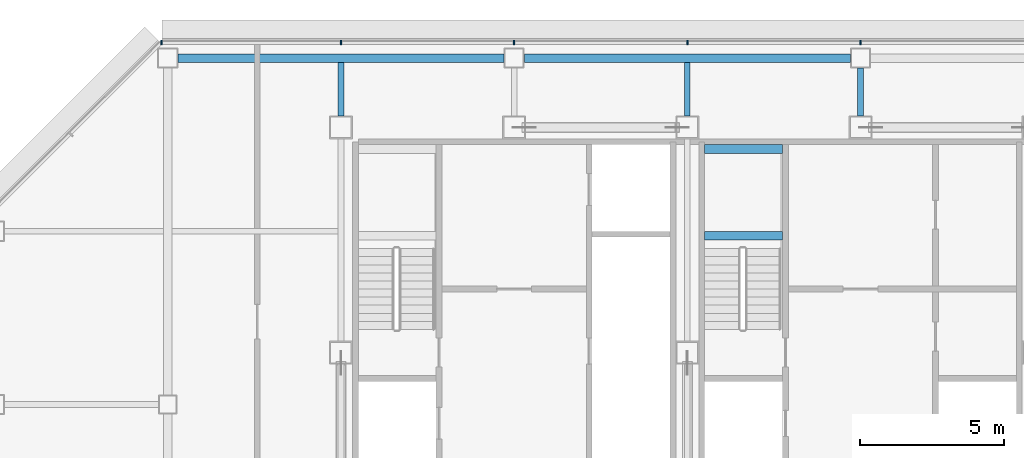
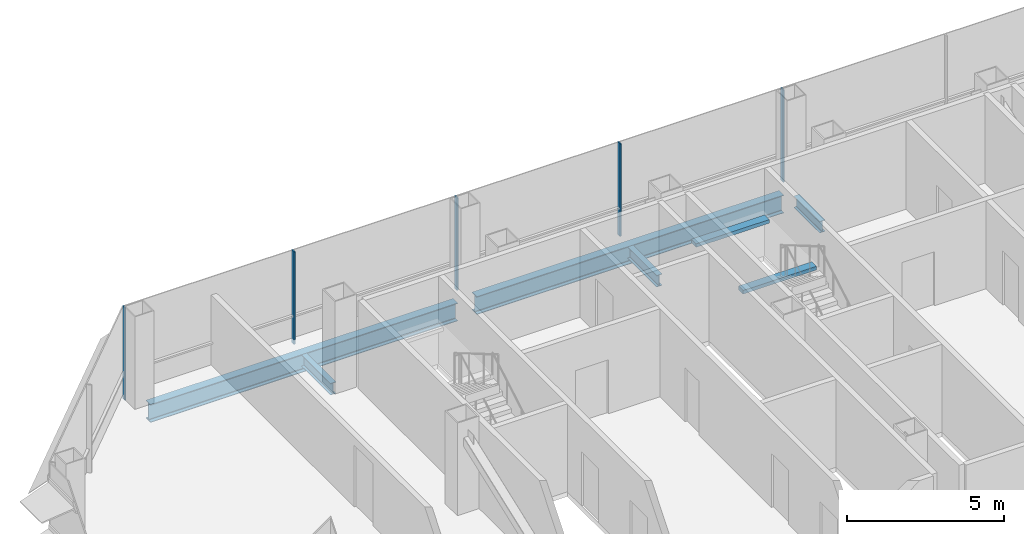
# One storey, part 12 of 26: 7 beams, 5 members, 1 element without a shape of its own.
"""IFC4 building model written with IfcOpenShell, lengths in metres."""

from ifc_helpers import new_model, si_unit, direction, frame, origin, origin_2d, place, context, subcontext, project, spatial, rectangle, i_section, extrude, material, material_profile, profile_set, type_object, element, aggregate, save


model = new_model("IFC4")

# Units and contexts
model_context = context("Model", 3, precision=1e-05, world=origin(), true_north=direction((0.0, 1.0)))
body_context = subcontext(model_context, "Body", "Model", "MODEL_VIEW")
ifc_project = project(units=[si_unit("LENGTHUNIT", "METRE"), si_unit("AREAUNIT", "SQUARE_METRE"), si_unit("VOLUMEUNIT", "CUBIC_METRE"), si_unit("PLANEANGLEUNIT", "RADIAN"), si_unit("MASSUNIT", "GRAM", prefix="KILO")], contexts=[model_context])

# Site, building, storey
site_placement = place(None, origin())
site = spatial("IfcSite", under=ifc_project, at=site_placement, CompositionType="ELEMENT")
building_placement = place(site_placement, origin())
building = spatial("IfcBuilding", under=site, at=building_placement, Name="Sorahane Residences", CompositionType="ELEMENT")
storey_placement = place(building_placement, frame((0.0, 0.0, 151.0)))
storey = spatial("IfcBuildingStorey", under=building, at=storey_placement, Name="L34", CompositionType="ELEMENT", Elevation=151.0)

# Curtain wall, members
ifc_material_1 = material(Name="Dark low-e glass and black anodised aluminium", Category="aluminium")
curtain_wall_type = type_object("IfcCurtainWallType", Name="Curtain wall CW-1 Typical unitised wall", PredefinedType="NOTDEFINED", material=ifc_material_1)
curtain_wall_placement = place(storey_placement, origin())
curtain_wall = element("IfcCurtainWall", 1, at=curtain_wall_placement, inside=storey, type_object=curtain_wall_type, Name="CW-1 curtain wall L34 N1", PredefinedType="NOTDEFINED")
ifc_material_2 = material(Name="Black anodised aluminium", Category="aluminium")
ifc_material_profile_1 = material_profile(ifc_material_2, rectangle(XDim=0.159912109375, YDim=0.050048828125, at=origin_2d()), Name="Curtain wall mullion CW-1 black anodised aluminium 50x160")
ifc_profile_set_1 = profile_set([ifc_material_profile_1], Name="Black anodised aluminium")
member_type = type_object("IfcMemberType", Name="Curtain wall mullion CW-1 black anodised aluminium 50x160", PredefinedType="MULLION", material=ifc_profile_set_1)
member_1_placement = place(storey_placement, frame((24.0, 48.5400390625, -0.179931640625), z_axis=(0.0, 0.0, 1.0), x_axis=(0.0, 1.0, 0.0)))
member_1 = element("IfcMember", 2, at=member_1_placement, type_object=member_type, Name="CW-1 mullion L34 N1.6", PredefinedType="MULLION", context=body_context, shape_type="SweptSolid", body=[
    extrude(rectangle(XDim=0.159912109375, YDim=0.050048828125, at=origin_2d()), origin(), (0.0, 0.0, 1.0), 3.599853515625),
])
member_2_placement = place(storey_placement, frame((18.0, 48.5400390625, -0.179931640625), z_axis=(0.0, 0.0, 1.0), x_axis=(0.0, 1.0, 0.0)))
member_2 = element("IfcMember", 3, at=member_2_placement, type_object=member_type, Name="CW-1 mullion L34 N1.7", PredefinedType="MULLION", context=body_context, shape_type="SweptSolid", body=[
    extrude(rectangle(XDim=0.159912109375, YDim=0.050048828125, at=origin_2d()), origin(), (0.0, 0.0, 1.0), 3.599853515625),
])
member_3_placement = place(storey_placement, frame((12.0, 48.5400390625, -0.179931640625), z_axis=(0.0, 0.0, 1.0), x_axis=(0.0, 1.0, 0.0)))
member_3 = element("IfcMember", 4, at=member_3_placement, type_object=member_type, Name="CW-1 mullion L34 N1.8", PredefinedType="MULLION", context=body_context, shape_type="SweptSolid", body=[
    extrude(rectangle(XDim=0.159912109375, YDim=0.050048828125, at=origin_2d()), origin(), (0.0, 0.0, 1.0), 3.599853515625),
])
member_4_placement = place(storey_placement, frame((6.0, 48.5400390625, -0.179931640625), z_axis=(0.0, 0.0, 1.0), x_axis=(0.0, 1.0, 0.0)))
member_4 = element("IfcMember", 5, at=member_4_placement, type_object=member_type, Name="CW-1 mullion L34 N1.9", PredefinedType="MULLION", context=body_context, shape_type="SweptSolid", body=[
    extrude(rectangle(XDim=0.159912109375, YDim=0.050048828125, at=origin_2d()), origin(), (0.0, 0.0, 1.0), 3.599853515625),
])
member_5_placement = place(storey_placement, frame((-0.2236328125, 48.5400390625, -0.179931640625), z_axis=(0.0, 0.0, 1.0), x_axis=(0.0, 1.0, 0.0)))
member_5 = element("IfcMember", 6, at=member_5_placement, type_object=member_type, Name="CW-1 mullion L34 N1.10", PredefinedType="MULLION", context=body_context, shape_type="SweptSolid", body=[
    extrude(rectangle(XDim=0.159912109375, YDim=0.050048828125, at=origin_2d()), origin(), (0.0, 0.0, 1.0), 3.599853515625),
])
aggregate(curtain_wall, [member_1, member_2, member_3, member_4, member_5])

# Beams
ifc_material_3 = material(Name="Concrete C40", Category="concrete")
ifc_material_profile_2 = material_profile(ifc_material_3, rectangle(XDim=0.300048828125, YDim=0.139892578125, at=origin_2d()), Name="300x140")
ifc_profile_set_2 = profile_set([ifc_material_profile_2], Name="Concrete C40")
beam_type_1 = type_object("IfcBeamType", Name="RC landing beam 300 x 140 Concrete C40", PredefinedType="BEAM", material=ifc_profile_set_2)
for number, where, z_axis, x_axis, name in (
    (7, (18.60009765625, 41.85009765625, 1.530029296875), (1.0, 0.0, 0.0), (0.0, 1.0, 0.0), "Landing beam"),
    (8, (18.60009765625, 44.85009765625, 1.530029296875), (1.0, 0.0, 0.0), (0.0, 1.0, 0.0), "Landing beam"),
):
    element("IfcBeam", number, at=place(storey_placement, frame(where, z_axis=z_axis, x_axis=x_axis)), inside=storey, type_object=beam_type_1, Name=name, PredefinedType="BEAM", context=body_context, shape_type="SweptSolid", body=[
        extrude(rectangle(XDim=0.300048828125, YDim=0.139892578125, at=origin_2d()), origin(), (0.0, 0.0, 1.0), 2.699951171875),
    ])
ifc_material_4 = material(Name="Steel Q355B", Category="steel")
ifc_material_profile_3 = material_profile(ifc_material_4, i_section(OverallWidth=0.199951171875, OverallDepth=0.449951171875, WebThickness=0.009033203125, FlangeThickness=0.013916015625, FilletRadius=0.02001953125, at=origin_2d()), Name="HN 450x200x9x14")
ifc_profile_set_3 = profile_set([ifc_material_profile_3], Name="Steel Q355B")
beam_type_2 = type_object("IfcBeamType", Name="Steel floor beam HN 450x200x9x14 Q355B", PredefinedType="BEAM", material=ifc_profile_set_3)
for number, where, z_axis, x_axis, name in (
    (9, (6.0, 46.0, -0.405029296875), (0.0, 1.0, 0.0), (-1.0, 0.0, 0.0), "Beam L34 033"),
    (10, (18.0, 46.0, -0.405029296875), (0.0, 1.0, 0.0), (-1.0, 0.0, 0.0), "Beam L34 041"),
):
    element("IfcBeam", number, at=place(storey_placement, frame(where, z_axis=z_axis, x_axis=x_axis)), inside=storey, type_object=beam_type_2, Name=name, PredefinedType="BEAM", context=body_context, shape_type="SweptSolid", body=[
        extrude(i_section(OverallWidth=0.199951171875, OverallDepth=0.449951171875, WebThickness=0.009033203125, FlangeThickness=0.013916015625, FilletRadius=0.02001953125, at=origin_2d()), origin(), (0.0, 0.0, 1.0), 1.85009765625),
    ])
beam_placement = place(storey_placement, frame((24.0, 46.0, -0.405029296875), z_axis=(0.0, 1.0, 0.0), x_axis=(-1.0, 0.0, 0.0)))
element("IfcBeam", 11, at=beam_placement, inside=storey, type_object=beam_type_2, Name="Beam L34 043", PredefinedType="BEAM", context=body_context, shape_type="SweptSolid", body=[
    extrude(i_section(OverallWidth=0.199951171875, OverallDepth=0.449951171875, WebThickness=0.009033203125, FlangeThickness=0.013916015625, FilletRadius=0.02001953125, at=origin_2d()), origin(), (0.0, 0.0, 1.0), 1.64990234375),
])
ifc_material_5 = material(Name="Steel Q355B", Category="steel")
ifc_material_profile_4 = material_profile(ifc_material_5, i_section(OverallWidth=0.300048828125, OverallDepth=0.699951171875, WebThickness=0.012939453125, FlangeThickness=0.02392578125, FilletRadius=0.028076171875, at=origin_2d()), Name="HN 700x300x13x24")
ifc_profile_set_4 = profile_set([ifc_material_profile_4], Name="Steel Q355B")
beam_type_3 = type_object("IfcBeamType", Name="Steel floor beam HN 700x300x13x24 Q355B", PredefinedType="BEAM", material=ifc_profile_set_4)
for number, where, z_axis, x_axis, name in (
    (12, (0.35009765625, 48.0, -0.530029296875), (1.0, 0.0, 0.0), (0.0, 1.0, 0.0), "Beam L34 015"),
    (13, (12.35009765625, 48.0, -0.530029296875), (1.0, 0.0, 0.0), (0.0, 1.0, 0.0), "Beam L34 016"),
):
    element("IfcBeam", number, at=place(storey_placement, frame(where, z_axis=z_axis, x_axis=x_axis)), inside=storey, type_object=beam_type_3, Name=name, PredefinedType="BEAM", context=body_context, shape_type="SweptSolid", body=[
        extrude(i_section(OverallWidth=0.300048828125, OverallDepth=0.699951171875, WebThickness=0.012939453125, FlangeThickness=0.02392578125, FilletRadius=0.028076171875, at=origin_2d()), origin(), (0.0, 0.0, 1.0), 11.2998046875),
    ])

save(model, "model.ifc")
